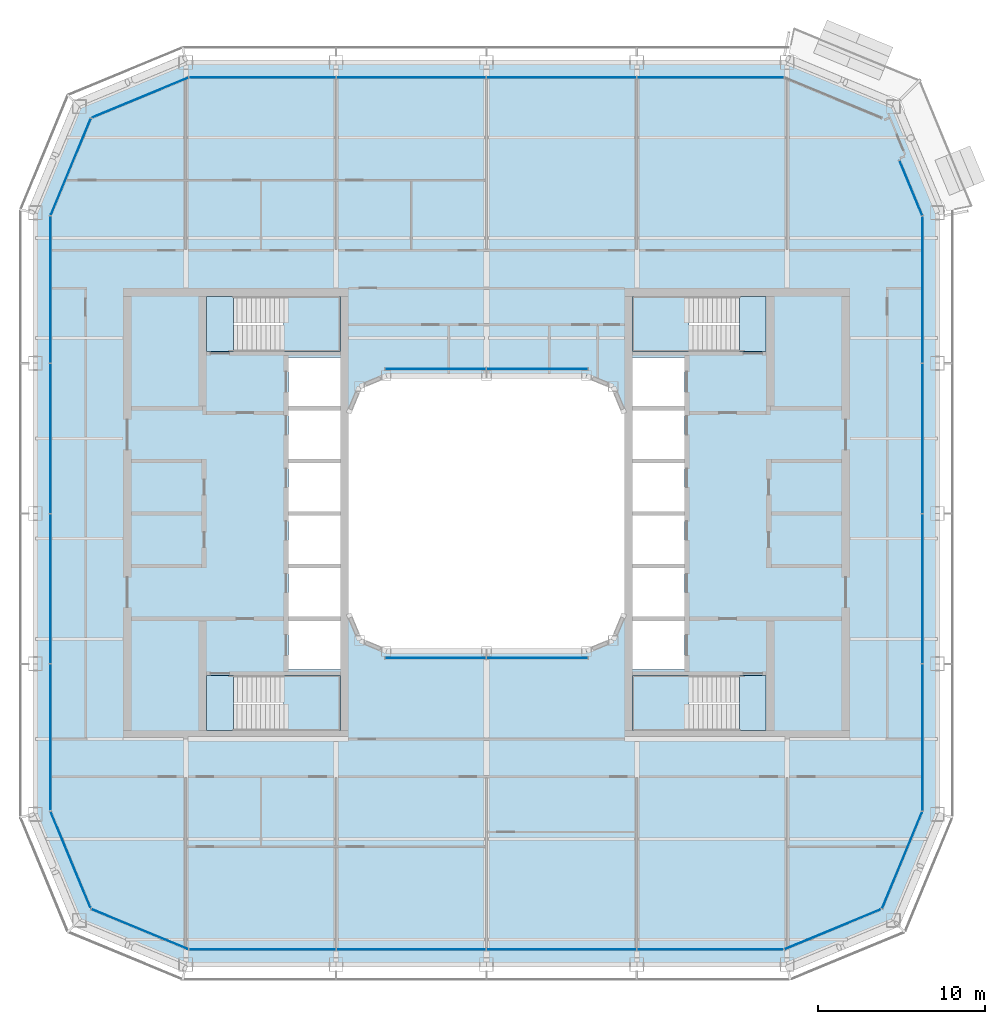
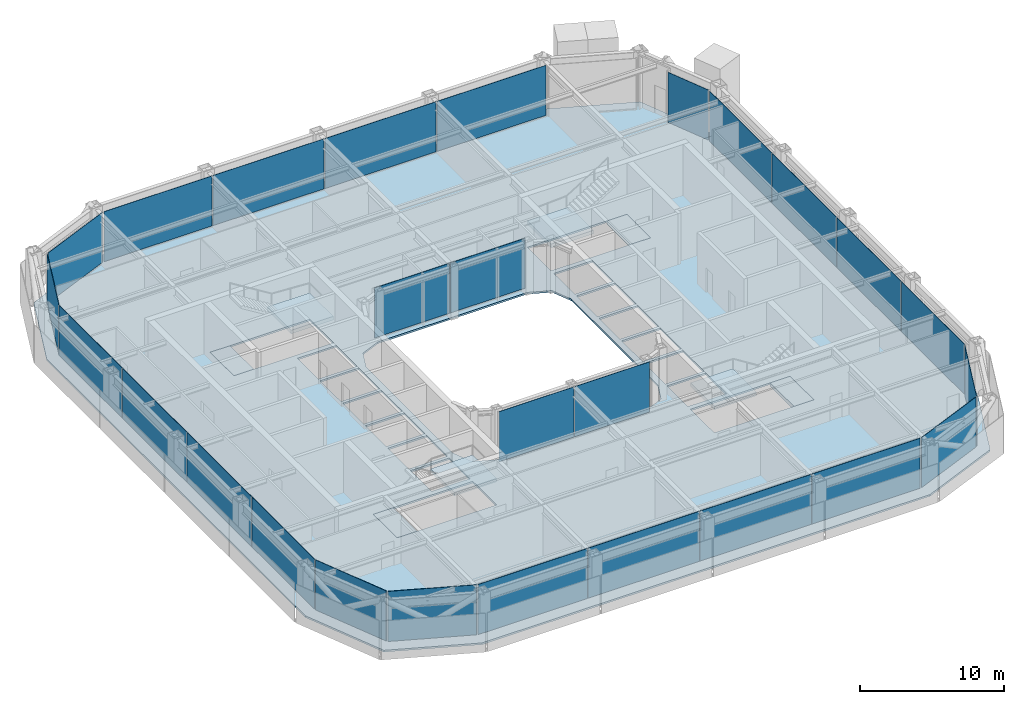
# One storey, part 11 of 23: 27 plates, 9 slabs, 17 elements without a shape of their own.
"""IFC4 building model written with IfcOpenShell, lengths in metres."""

from ifc_helpers import new_model, si_unit, direction, frame, origin, origin_2d, place, context, subcontext, project, spatial, polyline, rectangle, outline, extrude, material, layer, layer_set, type_object, element, aggregate, save


model = new_model("IFC4")

# Units and contexts
model_context = context("Model", 3, precision=1e-05, world=origin(), true_north=direction((0.0, 1.0)))
body_context = subcontext(model_context, "Body", "Model", "MODEL_VIEW")
ifc_project = project(units=[si_unit("LENGTHUNIT", "METRE"), si_unit("AREAUNIT", "SQUARE_METRE"), si_unit("VOLUMEUNIT", "CUBIC_METRE"), si_unit("PLANEANGLEUNIT", "RADIAN"), si_unit("MASSUNIT", "GRAM", prefix="KILO")], contexts=[model_context])

# Site, building, storey
site_placement = place(None, origin())
site = spatial("IfcSite", under=ifc_project, at=site_placement, CompositionType="ELEMENT")
building_placement = place(site_placement, origin())
building = spatial("IfcBuilding", under=site, at=building_placement, Name="Siwar Civic Tower", CompositionType="ELEMENT")
storey_placement = place(building_placement, frame((0.0, 0.0, 224.199951171875)))
storey = spatial("IfcBuildingStorey", under=building, at=storey_placement, Name="L48", CompositionType="ELEMENT", Elevation=224.199951171875)

# Stair, slabs
ifc_material_1 = material(Name="Concrete C40/50", Category="concrete")
stair_type = type_object("IfcStairType", Name="CORE-STAIR", PredefinedType="TWO_STRAIGHT_RUN_STAIR", material=ifc_material_1)
stair_1_placement = place(storey_placement, origin())
stair_1 = element("IfcStair", 1, at=stair_1_placement, inside=storey, type_object=stair_type, Name="Exit stair ST1", PredefinedType="TWO_STRAIGHT_RUN_STAIR")
ifc_material_2 = material(Name="Concrete C40/50", Category="concrete")
ifc_layer_1 = layer(ifc_material_2, 0.300048828125)
ifc_layer_set_1 = layer_set([ifc_layer_1], Name="Concrete C40/50")
slab_type_1 = type_object("IfcSlabType", Name="CORE-STAIR-LANDING", PredefinedType="LANDING", material=ifc_layer_set_1)
slab_1_placement = place(storey_placement, frame((0.0, 0.0, -0.300048828125)))
slab_1 = element("IfcSlab", 2, at=slab_1_placement, type_object=slab_type_1, Name="ST1 landing 1", PredefinedType="LANDING", context=body_context, shape_type="SweptSolid", body=[
    extrude(outline(polyline([(-15.14990234375, 13.0), (-16.75, 13.0), (-16.75, 9.699951171875), (-15.14990234375, 9.699951171875), (-15.14990234375, 13.0)])), origin(), (0.0, 0.0, 1.0), 0.300048828125),
])
slab_2_placement = place(storey_placement, frame((0.0, 0.0, 1.949951171875)))
slab_2 = element("IfcSlab", 3, at=slab_2_placement, type_object=slab_type_1, Name="ST1 landing 2", PredefinedType="LANDING", context=body_context, shape_type="SweptSolid", body=[
    extrude(outline(polyline([(-8.75, 13.0), (-12.139892578125, 13.0), (-12.139892578125, 9.699951171875), (-8.75, 9.699951171875), (-8.75, 13.0)])), origin(), (0.0, 0.0, 1.0), 0.300048828125),
])
aggregate(stair_1, [slab_1, slab_2])

stair_2_placement = place(storey_placement, origin())
stair_2 = element("IfcStair", 4, at=stair_2_placement, inside=storey, type_object=stair_type, Name="Exit stair ST2", PredefinedType="TWO_STRAIGHT_RUN_STAIR")
slab_3_placement = place(storey_placement, frame((0.0, 0.0, -0.300048828125)))
slab_3 = element("IfcSlab", 5, at=slab_3_placement, type_object=slab_type_1, Name="ST2 landing 1", PredefinedType="LANDING", context=body_context, shape_type="SweptSolid", body=[
    extrude(outline(polyline([(-15.14990234375, -9.699951171875), (-16.75, -9.699951171875), (-16.75, -13.0), (-15.14990234375, -13.0), (-15.14990234375, -9.699951171875)])), origin(), (0.0, 0.0, 1.0), 0.300048828125),
])
slab_4_placement = place(storey_placement, frame((0.0, 0.0, 1.949951171875)))
slab_4 = element("IfcSlab", 6, at=slab_4_placement, type_object=slab_type_1, Name="ST2 landing 2", PredefinedType="LANDING", context=body_context, shape_type="SweptSolid", body=[
    extrude(outline(polyline([(-8.75, -9.699951171875), (-12.139892578125, -9.699951171875), (-12.139892578125, -13.0), (-8.75, -13.0), (-8.75, -9.699951171875)])), origin(), (0.0, 0.0, 1.0), 0.300048828125),
])
aggregate(stair_2, [slab_3, slab_4])

stair_3_placement = place(storey_placement, origin())
stair_3 = element("IfcStair", 7, at=stair_3_placement, inside=storey, type_object=stair_type, Name="Exit stair ST3", PredefinedType="TWO_STRAIGHT_RUN_STAIR")
slab_5_placement = place(storey_placement, frame((0.0, 0.0, -0.300048828125)))
slab_5 = element("IfcSlab", 8, at=slab_5_placement, type_object=slab_type_1, Name="ST3 landing 1", PredefinedType="LANDING", context=body_context, shape_type="SweptSolid", body=[
    extrude(outline(polyline([(15.14990234375, 9.699951171875), (16.75, 9.699951171875), (16.75, 13.0), (15.14990234375, 13.0), (15.14990234375, 9.699951171875)])), origin(), (0.0, 0.0, 1.0), 0.300048828125),
])
slab_6_placement = place(storey_placement, frame((0.0, 0.0, 1.949951171875)))
slab_6 = element("IfcSlab", 9, at=slab_6_placement, type_object=slab_type_1, Name="ST3 landing 2", PredefinedType="LANDING", context=body_context, shape_type="SweptSolid", body=[
    extrude(outline(polyline([(8.75, 9.699951171875), (12.139892578125, 9.699951171875), (12.139892578125, 13.0), (8.75, 13.0), (8.75, 9.699951171875)])), origin(), (0.0, 0.0, 1.0), 0.300048828125),
])
aggregate(stair_3, [slab_5, slab_6])

stair_4_placement = place(storey_placement, origin())
stair_4 = element("IfcStair", 10, at=stair_4_placement, inside=storey, type_object=stair_type, Name="Exit stair ST4", PredefinedType="TWO_STRAIGHT_RUN_STAIR")
slab_7_placement = place(storey_placement, frame((0.0, 0.0, -0.300048828125)))
slab_7 = element("IfcSlab", 11, at=slab_7_placement, type_object=slab_type_1, Name="ST4 landing 1", PredefinedType="LANDING", context=body_context, shape_type="SweptSolid", body=[
    extrude(outline(polyline([(15.14990234375, -13.0), (16.75, -13.0), (16.75, -9.699951171875), (15.14990234375, -9.699951171875), (15.14990234375, -13.0)])), origin(), (0.0, 0.0, 1.0), 0.300048828125),
])
slab_8_placement = place(storey_placement, frame((0.0, 0.0, 1.949951171875)))
slab_8 = element("IfcSlab", 12, at=slab_8_placement, type_object=slab_type_1, Name="ST4 landing 2", PredefinedType="LANDING", context=body_context, shape_type="SweptSolid", body=[
    extrude(outline(polyline([(8.75, -13.0), (12.139892578125, -13.0), (12.139892578125, -9.699951171875), (8.75, -9.699951171875), (8.75, -13.0)])), origin(), (0.0, 0.0, 1.0), 0.300048828125),
])
aggregate(stair_4, [slab_7, slab_8])

# Curtain wall, plates
ifc_material_3 = material(Name="Aluminium and glass", Category="aluminium")
ifc_layer_2 = layer(ifc_material_3, 0.179931640625)
ifc_layer_set_2 = layer_set([ifc_layer_2], Name="Aluminium and glass")
curtain_wall_type_1 = type_object("IfcCurtainWallType", Name="ENV-CW-C", PredefinedType="NOTDEFINED", material=ifc_layer_set_2)
curtain_wall_1_placement = place(storey_placement, origin())
curtain_wall_1 = element("IfcCurtainWall", 13, at=curtain_wall_1_placement, inside=storey, type_object=curtain_wall_type_1, Name="Curtain wall C S", PredefinedType="NOTDEFINED")
ifc_material_4 = material(Name="Glass clear laminated", Category="glass")
ifc_layer_3 = layer(ifc_material_4, 0.031982421875)
ifc_layer_set_3 = layer_set([ifc_layer_3], Name="Glass clear laminated")
plate_type_1 = type_object("IfcPlateType", Name="ENV-PANEL-C", PredefinedType="CURTAIN_PANEL", material=ifc_layer_set_3)
plate_1_placement = place(storey_placement, frame((-13.410400390625, -26.10009765625, 0.10009765625), z_axis=(0.0, 0.0, 1.0), x_axis=(1.0, 0.0, 0.0)))
plate_1 = element("IfcPlate", 14, at=plate_1_placement, type_object=plate_type_1, Name="Curtain panel C S 1", PredefinedType="CURTAIN_PANEL", context=body_context, shape_type="SweptSolid", body=[
    extrude(rectangle(XDim=8.760986328125, YDim=0.031982421875, at=origin_2d()), origin(), (0.0, 0.0, 1.0), 4.25),
])
plate_2_placement = place(storey_placement, frame((-4.5, -26.10009765625, 0.10009765625), z_axis=(0.0, 0.0, 1.0), x_axis=(1.0, 0.0, 0.0)))
plate_2 = element("IfcPlate", 15, at=plate_2_placement, type_object=plate_type_1, Name="Curtain panel C S 2", PredefinedType="CURTAIN_PANEL", context=body_context, shape_type="SweptSolid", body=[
    extrude(rectangle(XDim=8.93994140625, YDim=0.031982421875, at=origin_2d()), origin(), (0.0, 0.0, 1.0), 4.25),
])
plate_3_placement = place(storey_placement, frame((4.5, -26.10009765625, 0.10009765625), z_axis=(0.0, 0.0, 1.0), x_axis=(1.0, 0.0, 0.0)))
plate_3 = element("IfcPlate", 16, at=plate_3_placement, type_object=plate_type_1, Name="Curtain panel C S 3", PredefinedType="CURTAIN_PANEL", context=body_context, shape_type="SweptSolid", body=[
    extrude(rectangle(XDim=8.93994140625, YDim=0.031982421875, at=origin_2d()), origin(), (0.0, 0.0, 1.0), 4.25),
])
plate_4_placement = place(storey_placement, frame((13.373046875, -26.10009765625, 0.10009765625), z_axis=(0.0, 0.0, 1.0), x_axis=(1.0, 0.0, 0.0)))
plate_4 = element("IfcPlate", 17, at=plate_4_placement, type_object=plate_type_1, Name="Curtain panel C S 4", PredefinedType="CURTAIN_PANEL", context=body_context, shape_type="SweptSolid", body=[
    extrude(rectangle(XDim=8.68603515625, YDim=0.031982421875, at=origin_2d()), origin(), (0.0, 0.0, 1.0), 4.25),
])
aggregate(curtain_wall_1, [plate_1, plate_2, plate_3, plate_4])

curtain_wall_2_placement = place(storey_placement, origin())
curtain_wall_2 = element("IfcCurtainWall", 18, at=curtain_wall_2_placement, inside=storey, type_object=curtain_wall_type_1, Name="Curtain wall C E", PredefinedType="NOTDEFINED")
plate_5_placement = place(storey_placement, frame((26.10009765625, -13.410400390625, 0.10009765625), z_axis=(0.0, 0.0, 1.0), x_axis=(0.0, 1.0, 0.0)))
plate_5 = element("IfcPlate", 19, at=plate_5_placement, type_object=plate_type_1, Name="Curtain panel C E 1", PredefinedType="CURTAIN_PANEL", context=body_context, shape_type="SweptSolid", body=[
    extrude(rectangle(XDim=8.760986328125, YDim=0.031982421875, at=origin_2d()), origin(), (0.0, 0.0, 1.0), 4.25),
])
plate_6_placement = place(storey_placement, frame((26.10009765625, -4.5, 0.10009765625), z_axis=(0.0, 0.0, 1.0), x_axis=(0.0, 1.0, 0.0)))
plate_6 = element("IfcPlate", 20, at=plate_6_placement, type_object=plate_type_1, Name="Curtain panel C E 2", PredefinedType="CURTAIN_PANEL", context=body_context, shape_type="SweptSolid", body=[
    extrude(rectangle(XDim=8.93994140625, YDim=0.031982421875, at=origin_2d()), origin(), (0.0, 0.0, 1.0), 4.25),
])
plate_7_placement = place(storey_placement, frame((26.10009765625, 4.5, 0.10009765625), z_axis=(0.0, 0.0, 1.0), x_axis=(0.0, 1.0, 0.0)))
plate_7 = element("IfcPlate", 21, at=plate_7_placement, type_object=plate_type_1, Name="Curtain panel C E 3", PredefinedType="CURTAIN_PANEL", context=body_context, shape_type="SweptSolid", body=[
    extrude(rectangle(XDim=8.93994140625, YDim=0.031982421875, at=origin_2d()), origin(), (0.0, 0.0, 1.0), 4.25),
])
plate_8_placement = place(storey_placement, frame((26.10009765625, 13.373046875, 0.10009765625), z_axis=(0.0, 0.0, 1.0), x_axis=(0.0, 1.0, 0.0)))
plate_8 = element("IfcPlate", 22, at=plate_8_placement, type_object=plate_type_1, Name="Curtain panel C E 4", PredefinedType="CURTAIN_PANEL", context=body_context, shape_type="SweptSolid", body=[
    extrude(rectangle(XDim=8.68603515625, YDim=0.031982421875, at=origin_2d()), origin(), (0.0, 0.0, 1.0), 4.25),
])
aggregate(curtain_wall_2, [plate_5, plate_6, plate_7, plate_8])

curtain_wall_3_placement = place(storey_placement, origin())
curtain_wall_3 = element("IfcCurtainWall", 23, at=curtain_wall_3_placement, inside=storey, type_object=curtain_wall_type_1, Name="Curtain wall C N", PredefinedType="NOTDEFINED")
plate_9_placement = place(storey_placement, frame((13.410400390625, 26.10009765625, 0.10009765625), z_axis=(0.0, 0.0, 1.0), x_axis=(-1.0, 0.0, 0.0)))
plate_9 = element("IfcPlate", 24, at=plate_9_placement, type_object=plate_type_1, Name="Curtain panel C N 1", PredefinedType="CURTAIN_PANEL", context=body_context, shape_type="SweptSolid", body=[
    extrude(rectangle(XDim=8.760986328125, YDim=0.031982421875, at=origin_2d()), origin(), (0.0, 0.0, 1.0), 4.25),
])
plate_10_placement = place(storey_placement, frame((4.5, 26.10009765625, 0.10009765625), z_axis=(0.0, 0.0, 1.0), x_axis=(-1.0, 0.0, 0.0)))
plate_10 = element("IfcPlate", 25, at=plate_10_placement, type_object=plate_type_1, Name="Curtain panel C N 2", PredefinedType="CURTAIN_PANEL", context=body_context, shape_type="SweptSolid", body=[
    extrude(rectangle(XDim=8.93994140625, YDim=0.031982421875, at=origin_2d()), origin(), (0.0, 0.0, 1.0), 4.25),
])
plate_11_placement = place(storey_placement, frame((-4.5, 26.10009765625, 0.10009765625), z_axis=(0.0, 0.0, 1.0), x_axis=(-1.0, 0.0, 0.0)))
plate_11 = element("IfcPlate", 26, at=plate_11_placement, type_object=plate_type_1, Name="Curtain panel C N 3", PredefinedType="CURTAIN_PANEL", context=body_context, shape_type="SweptSolid", body=[
    extrude(rectangle(XDim=8.93994140625, YDim=0.031982421875, at=origin_2d()), origin(), (0.0, 0.0, 1.0), 4.25),
])
plate_12_placement = place(storey_placement, frame((-13.373046875, 26.10009765625, 0.10009765625), z_axis=(0.0, 0.0, 1.0), x_axis=(-1.0, 0.0, 0.0)))
plate_12 = element("IfcPlate", 27, at=plate_12_placement, type_object=plate_type_1, Name="Curtain panel C N 4", PredefinedType="CURTAIN_PANEL", context=body_context, shape_type="SweptSolid", body=[
    extrude(rectangle(XDim=8.68603515625, YDim=0.031982421875, at=origin_2d()), origin(), (0.0, 0.0, 1.0), 4.25),
])
aggregate(curtain_wall_3, [plate_9, plate_10, plate_11, plate_12])

curtain_wall_4_placement = place(storey_placement, origin())
curtain_wall_4 = element("IfcCurtainWall", 28, at=curtain_wall_4_placement, inside=storey, type_object=curtain_wall_type_1, Name="Curtain wall C W", PredefinedType="NOTDEFINED")
plate_13_placement = place(storey_placement, frame((-26.10009765625, 13.410400390625, 0.10009765625), z_axis=(0.0, 0.0, 1.0), x_axis=(0.0, -1.0, 0.0)))
plate_13 = element("IfcPlate", 29, at=plate_13_placement, type_object=plate_type_1, Name="Curtain panel C W 1", PredefinedType="CURTAIN_PANEL", context=body_context, shape_type="SweptSolid", body=[
    extrude(rectangle(XDim=8.760986328125, YDim=0.031982421875, at=origin_2d()), origin(), (0.0, 0.0, 1.0), 4.25),
])
plate_14_placement = place(storey_placement, frame((-26.10009765625, 4.5, 0.10009765625), z_axis=(0.0, 0.0, 1.0), x_axis=(0.0, -1.0, 0.0)))
plate_14 = element("IfcPlate", 30, at=plate_14_placement, type_object=plate_type_1, Name="Curtain panel C W 2", PredefinedType="CURTAIN_PANEL", context=body_context, shape_type="SweptSolid", body=[
    extrude(rectangle(XDim=8.93994140625, YDim=0.031982421875, at=origin_2d()), origin(), (0.0, 0.0, 1.0), 4.25),
])
plate_15_placement = place(storey_placement, frame((-26.10009765625, -4.5, 0.10009765625), z_axis=(0.0, 0.0, 1.0), x_axis=(0.0, -1.0, 0.0)))
plate_15 = element("IfcPlate", 31, at=plate_15_placement, type_object=plate_type_1, Name="Curtain panel C W 3", PredefinedType="CURTAIN_PANEL", context=body_context, shape_type="SweptSolid", body=[
    extrude(rectangle(XDim=8.93994140625, YDim=0.031982421875, at=origin_2d()), origin(), (0.0, 0.0, 1.0), 4.25),
])
plate_16_placement = place(storey_placement, frame((-26.10009765625, -13.373046875, 0.10009765625), z_axis=(0.0, 0.0, 1.0), x_axis=(0.0, -1.0, 0.0)))
plate_16 = element("IfcPlate", 32, at=plate_16_placement, type_object=plate_type_1, Name="Curtain panel C W 4", PredefinedType="CURTAIN_PANEL", context=body_context, shape_type="SweptSolid", body=[
    extrude(rectangle(XDim=8.68603515625, YDim=0.031982421875, at=origin_2d()), origin(), (0.0, 0.0, 1.0), 4.25),
])
aggregate(curtain_wall_4, [plate_13, plate_14, plate_15, plate_16])

# Curtain wall, plate
ifc_material_5 = material(Name="Aluminium clad insulated panel", Category="aluminium")
ifc_layer_4 = layer(ifc_material_5, 0.179931640625)
ifc_layer_set_4 = layer_set([ifc_layer_4], Name="Aluminium clad insulated panel")
curtain_wall_type_2 = type_object("IfcCurtainWallType", Name="ENV-CW-CX", PredefinedType="NOTDEFINED", material=ifc_layer_set_4)
curtain_wall_5_placement = place(storey_placement, origin())
curtain_wall_5 = element("IfcCurtainWall", 33, at=curtain_wall_5_placement, inside=storey, type_object=curtain_wall_type_2, Name="Curtain wall C SE1", PredefinedType="NOTDEFINED")
ifc_material_6 = material(Name="Aluminium clad insulated panel", Category="aluminium")
ifc_layer_5 = layer(ifc_material_6, 0.031982421875)
ifc_layer_set_5 = layer_set([ifc_layer_5], Name="Aluminium clad insulated panel")
plate_type_2 = type_object("IfcPlateType", Name="ENV-PANEL-CX", PredefinedType="CURTAIN_PANEL", material=ifc_layer_set_5)
plate_17_placement = place(storey_placement, frame((20.71337890625, -24.90185546875, 0.10009765625), z_axis=(0.0, 0.0, 1.0), x_axis=(0.923879532511, 0.382683432365, 0.0)))
plate_17 = element("IfcPlate", 34, at=plate_17_placement, type_object=plate_type_2, Name="Curtain panel C SE1 1", PredefinedType="CURTAIN_PANEL", context=body_context, shape_type="SweptSolid", body=[
    extrude(rectangle(XDim=6.20166015625, YDim=0.031982421875, at=origin_2d()), origin(), (0.0, 0.0, 1.0), 4.25),
])
aggregate(curtain_wall_5, [plate_17])

curtain_wall_6_placement = place(storey_placement, origin())
curtain_wall_6 = element("IfcCurtainWall", 35, at=curtain_wall_6_placement, inside=storey, type_object=curtain_wall_type_2, Name="Curtain wall C SE2", PredefinedType="NOTDEFINED")
plate_18_placement = place(storey_placement, frame((24.873291015625, -20.78271484375, 0.10009765625), z_axis=(0.0, 0.0, 1.0), x_axis=(0.382683432365, 0.923879532511, 0.0)))
plate_18 = element("IfcPlate", 36, at=plate_18_placement, type_object=plate_type_2, Name="Curtain panel C SE2 1", PredefinedType="CURTAIN_PANEL", context=body_context, shape_type="SweptSolid", body=[
    extrude(rectangle(XDim=6.20166015625, YDim=0.031982421875, at=origin_2d()), origin(), (0.0, 0.0, 1.0), 4.25),
])
aggregate(curtain_wall_6, [plate_18])

curtain_wall_7_placement = place(storey_placement, origin())
curtain_wall_7 = element("IfcCurtainWall", 37, at=curtain_wall_7_placement, inside=storey, type_object=curtain_wall_type_2, Name="Curtain wall C NE1", PredefinedType="NOTDEFINED")
plate_19_placement = place(storey_placement, frame((25.40966796875, 19.4873046875, 0.10009765625), z_axis=(0.0, 0.0, 1.0), x_axis=(-0.382683432365, 0.923879532511, 0.0)))
plate_19 = element("IfcPlate", 38, at=plate_19_placement, type_object=plate_type_2, Name="Curtain panel C NE1 1", PredefinedType="CURTAIN_PANEL", context=body_context, shape_type="SweptSolid", body=[
    extrude(rectangle(XDim=3.54736328125, YDim=0.031982421875, at=origin_2d()), origin(), (0.0, 0.0, 1.0), 4.25),
])
aggregate(curtain_wall_7, [plate_19])

curtain_wall_8_placement = place(storey_placement, origin())
curtain_wall_8 = element("IfcCurtainWall", 39, at=curtain_wall_8_placement, inside=storey, type_object=curtain_wall_type_2, Name="Curtain wall C NW1", PredefinedType="NOTDEFINED")
plate_20_placement = place(storey_placement, frame((-20.71337890625, 24.90185546875, 0.10009765625), z_axis=(0.0, 0.0, 1.0), x_axis=(-0.923879532511, -0.382683432365, 0.0)))
plate_20 = element("IfcPlate", 40, at=plate_20_placement, type_object=plate_type_2, Name="Curtain panel C NW1 1", PredefinedType="CURTAIN_PANEL", context=body_context, shape_type="SweptSolid", body=[
    extrude(rectangle(XDim=6.20166015625, YDim=0.031982421875, at=origin_2d()), origin(), (0.0, 0.0, 1.0), 4.25),
])
aggregate(curtain_wall_8, [plate_20])

curtain_wall_9_placement = place(storey_placement, origin())
curtain_wall_9 = element("IfcCurtainWall", 41, at=curtain_wall_9_placement, inside=storey, type_object=curtain_wall_type_2, Name="Curtain wall C NW2", PredefinedType="NOTDEFINED")
plate_21_placement = place(storey_placement, frame((-24.873291015625, 20.78271484375, 0.10009765625), z_axis=(0.0, 0.0, 1.0), x_axis=(-0.382683432365, -0.923879532511, 0.0)))
plate_21 = element("IfcPlate", 42, at=plate_21_placement, type_object=plate_type_2, Name="Curtain panel C NW2 1", PredefinedType="CURTAIN_PANEL", context=body_context, shape_type="SweptSolid", body=[
    extrude(rectangle(XDim=6.20166015625, YDim=0.031982421875, at=origin_2d()), origin(), (0.0, 0.0, 1.0), 4.25),
])
aggregate(curtain_wall_9, [plate_21])

curtain_wall_10_placement = place(storey_placement, origin())
curtain_wall_10 = element("IfcCurtainWall", 43, at=curtain_wall_10_placement, inside=storey, type_object=curtain_wall_type_2, Name="Curtain wall C SW1", PredefinedType="NOTDEFINED")
plate_22_placement = place(storey_placement, frame((-24.90185546875, -20.71337890625, 0.10009765625), z_axis=(0.0, 0.0, 1.0), x_axis=(0.382683432365, -0.923879532511, 0.0)))
plate_22 = element("IfcPlate", 44, at=plate_22_placement, type_object=plate_type_2, Name="Curtain panel C SW1 1", PredefinedType="CURTAIN_PANEL", context=body_context, shape_type="SweptSolid", body=[
    extrude(rectangle(XDim=6.20166015625, YDim=0.031982421875, at=origin_2d()), origin(), (0.0, 0.0, 1.0), 4.25),
])
aggregate(curtain_wall_10, [plate_22])

curtain_wall_11_placement = place(storey_placement, origin())
curtain_wall_11 = element("IfcCurtainWall", 45, at=curtain_wall_11_placement, inside=storey, type_object=curtain_wall_type_2, Name="Curtain wall C SW2", PredefinedType="NOTDEFINED")
plate_23_placement = place(storey_placement, frame((-20.78271484375, -24.873291015625, 0.10009765625), z_axis=(0.0, 0.0, 1.0), x_axis=(0.923879532511, -0.382683432365, 0.0)))
plate_23 = element("IfcPlate", 46, at=plate_23_placement, type_object=plate_type_2, Name="Curtain panel C SW2 1", PredefinedType="CURTAIN_PANEL", context=body_context, shape_type="SweptSolid", body=[
    extrude(rectangle(XDim=6.20166015625, YDim=0.031982421875, at=origin_2d()), origin(), (0.0, 0.0, 1.0), 4.25),
])
aggregate(curtain_wall_11, [plate_23])

# Curtain wall, plates
ifc_material_7 = material(Name="Aluminium and glass", Category="aluminium")
ifc_layer_6 = layer(ifc_material_7, 0.179931640625)
ifc_layer_set_6 = layer_set([ifc_layer_6], Name="Aluminium and glass")
curtain_wall_type_3 = type_object("IfcCurtainWallType", Name="ENV-CW-W", PredefinedType="NOTDEFINED", material=ifc_layer_set_6)
curtain_wall_12_placement = place(storey_placement, origin())
curtain_wall_12 = element("IfcCurtainWall", 47, at=curtain_wall_12_placement, inside=storey, type_object=curtain_wall_type_3, Name="Curtain wall W WS", PredefinedType="NOTDEFINED")
ifc_material_8 = material(Name="Glass clear laminated", Category="glass")
ifc_layer_7 = layer(ifc_material_8, 0.031982421875)
ifc_layer_set_7 = layer_set([ifc_layer_7], Name="Glass clear laminated")
plate_type_3 = type_object("IfcPlateType", Name="ENV-PANEL-W", PredefinedType="CURTAIN_PANEL", material=ifc_layer_set_7)
plate_24_placement = place(storey_placement, frame((-3.040771484375, -8.659912109375, 0.10009765625), z_axis=(0.0, 0.0, 1.0), x_axis=(1.0, 0.0, 0.0)))
plate_24 = element("IfcPlate", 48, at=plate_24_placement, type_object=plate_type_3, Name="Curtain panel W WS 1", PredefinedType="CURTAIN_PANEL", context=body_context, shape_type="SweptSolid", body=[
    extrude(rectangle(XDim=6.021484375, YDim=0.031982421875, at=origin_2d()), origin(), (0.0, 0.0, 1.0), 4.25),
])
plate_25_placement = place(storey_placement, frame((3.040771484375, -8.659912109375, 0.10009765625), z_axis=(0.0, 0.0, 1.0), x_axis=(1.0, 0.0, 0.0)))
plate_25 = element("IfcPlate", 49, at=plate_25_placement, type_object=plate_type_3, Name="Curtain panel W WS 2", PredefinedType="CURTAIN_PANEL", context=body_context, shape_type="SweptSolid", body=[
    extrude(rectangle(XDim=6.021484375, YDim=0.031982421875, at=origin_2d()), origin(), (0.0, 0.0, 1.0), 4.25),
])
aggregate(curtain_wall_12, [plate_24, plate_25])

curtain_wall_13_placement = place(storey_placement, origin())
curtain_wall_13 = element("IfcCurtainWall", 50, at=curtain_wall_13_placement, inside=storey, type_object=curtain_wall_type_3, Name="Curtain wall W WN", PredefinedType="NOTDEFINED")
plate_26_placement = place(storey_placement, frame((3.040771484375, 8.659912109375, 0.10009765625), z_axis=(0.0, 0.0, 1.0), x_axis=(-1.0, 0.0, 0.0)))
plate_26 = element("IfcPlate", 51, at=plate_26_placement, type_object=plate_type_3, Name="Curtain panel W WN 1", PredefinedType="CURTAIN_PANEL", context=body_context, shape_type="SweptSolid", body=[
    extrude(rectangle(XDim=6.021484375, YDim=0.031982421875, at=origin_2d()), origin(), (0.0, 0.0, 1.0), 4.25),
])
plate_27_placement = place(storey_placement, frame((-3.040771484375, 8.659912109375, 0.10009765625), z_axis=(0.0, 0.0, 1.0), x_axis=(-1.0, 0.0, 0.0)))
plate_27 = element("IfcPlate", 52, at=plate_27_placement, type_object=plate_type_3, Name="Curtain panel W WN 2", PredefinedType="CURTAIN_PANEL", context=body_context, shape_type="SweptSolid", body=[
    extrude(rectangle(XDim=6.021484375, YDim=0.031982421875, at=origin_2d()), origin(), (0.0, 0.0, 1.0), 4.25),
])
aggregate(curtain_wall_13, [plate_26, plate_27])

# Slab
ifc_material_9 = material(Name="Concrete C40/50", Category="concrete")
ifc_layer_8 = layer(ifc_material_9, 0.14990234375)
ifc_layer_set_8 = layer_set([ifc_layer_8], Name="Concrete C40/50")
slab_type_2 = type_object("IfcSlabType", Name="STR-FLOOR-DECK-150", PredefinedType="FLOOR", material=ifc_layer_set_8)
slab_9_placement = place(storey_placement, frame((0.0, 0.0, -0.14990234375)))
element("IfcSlab", 53, at=slab_9_placement, inside=storey, type_object=slab_type_2, Name="L48/slab/1", PredefinedType="FLOOR", context=body_context, shape_type="SweptSolid", body=[
    extrude(outline(polyline([(-18.0, -27.0), (18.0, -27.0), (24.364013671875, -24.364013671875), (27.0, -18.0), (27.0, 18.0), (24.364013671875, 24.364013671875), (18.0, 27.0), (-18.0, 27.0), (-24.364013671875, 24.364013671875), (-27.0, 18.0), (-27.0, -18.0), (-24.364013671875, -24.364013671875), (-18.0, -27.0)]), holes=[polyline([(16.75, 13.0), (16.75, 9.699951171875), (8.75, 9.699951171875), (8.75, 13.0), (16.75, 13.0)]), polyline([(8.75, -9.699951171875), (16.75, -9.699951171875), (16.75, -13.0), (8.75, -13.0), (8.75, -9.699951171875)]), polyline([(11.85009765625, 9.324951171875), (11.85009765625, 6.425048828125), (8.75, 6.425048828125), (8.75, 9.324951171875), (11.85009765625, 9.324951171875)]), polyline([(8.75, 6.175048828125), (11.85009765625, 6.175048828125), (11.85009765625, 3.27490234375), (8.75, 3.27490234375), (8.75, 6.175048828125)]), polyline([(8.75, 3.02490234375), (11.85009765625, 3.02490234375), (11.85009765625, 0.125), (8.75, 0.125), (8.75, 3.02490234375)]), polyline([(8.75, -0.125), (11.85009765625, -0.125), (11.85009765625, -3.02490234375), (8.75, -3.02490234375), (8.75, -0.125)]), polyline([(8.75, -3.27490234375), (11.85009765625, -3.27490234375), (11.85009765625, -6.175048828125), (8.75, -6.175048828125), (8.75, -3.27490234375)]), polyline([(8.75, -6.425048828125), (11.85009765625, -6.425048828125), (11.85009765625, -9.324951171875), (8.75, -9.324951171875), (8.75, -6.425048828125)]), polyline([(-6.0, 8.25), (6.0, 8.25), (7.591064453125, 7.591064453125), (8.25, 6.0), (8.25, -6.0), (7.591064453125, -7.591064453125), (6.0, -8.25), (-6.0, -8.25), (-7.591064453125, -7.591064453125), (-8.25, -6.0), (-8.25, 6.0), (-7.591064453125, 7.591064453125), (-6.0, 8.25)]), polyline([(-8.75, -13.0), (-16.75, -13.0), (-16.75, -9.699951171875), (-8.75, -9.699951171875), (-8.75, -13.0)]), polyline([(-8.75, 9.699951171875), (-16.75, 9.699951171875), (-16.75, 13.0), (-8.75, 13.0), (-8.75, 9.699951171875)]), polyline([(-8.75, 6.425048828125), (-11.85009765625, 6.425048828125), (-11.85009765625, 9.324951171875), (-8.75, 9.324951171875), (-8.75, 6.425048828125)]), polyline([(-8.75, 3.27490234375), (-11.85009765625, 3.27490234375), (-11.85009765625, 6.175048828125), (-8.75, 6.175048828125), (-8.75, 3.27490234375)]), polyline([(-8.75, 0.125), (-11.85009765625, 0.125), (-11.85009765625, 3.02490234375), (-8.75, 3.02490234375), (-8.75, 0.125)]), polyline([(-8.75, -3.02490234375), (-11.85009765625, -3.02490234375), (-11.85009765625, -0.125), (-8.75, -0.125), (-8.75, -3.02490234375)]), polyline([(-8.75, -6.175048828125), (-11.85009765625, -6.175048828125), (-11.85009765625, -3.27490234375), (-8.75, -3.27490234375), (-8.75, -6.175048828125)]), polyline([(-8.75, -9.324951171875), (-11.85009765625, -9.324951171875), (-11.85009765625, -6.425048828125), (-8.75, -6.425048828125), (-8.75, -9.324951171875)])]), origin(), (0.0, 0.0, 1.0), 0.14990234375),
])

save(model, "model.ifc")
